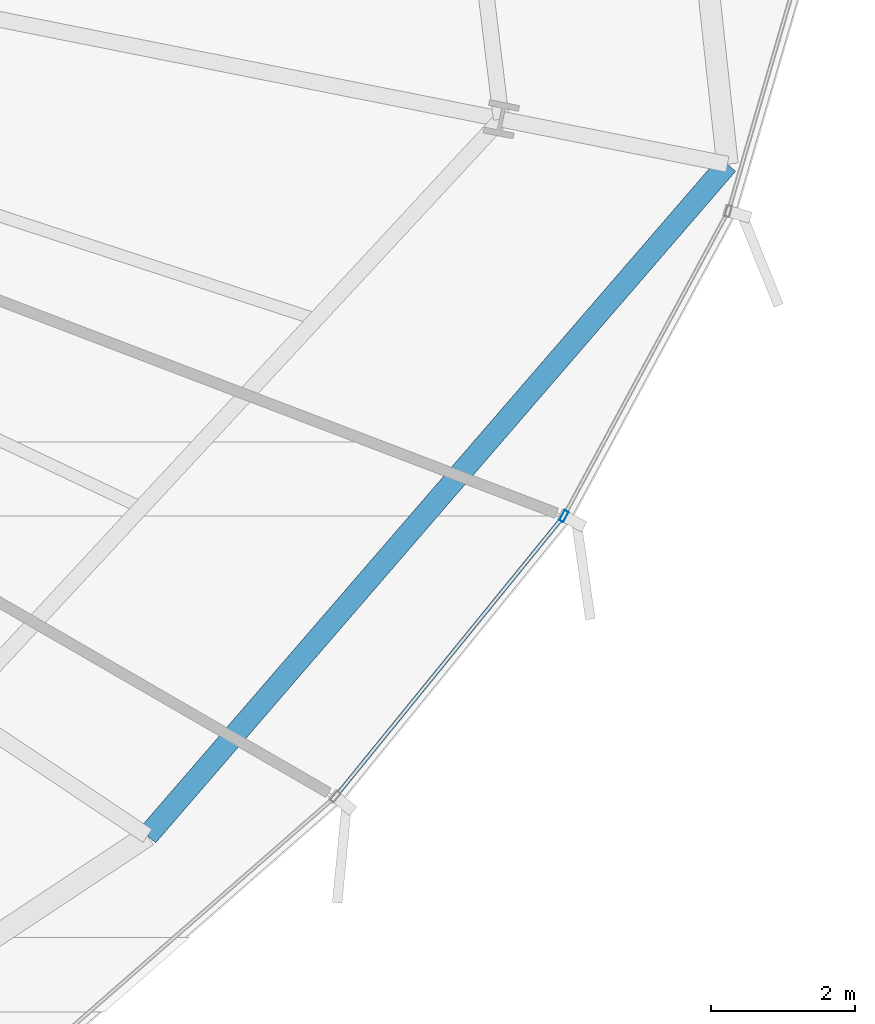
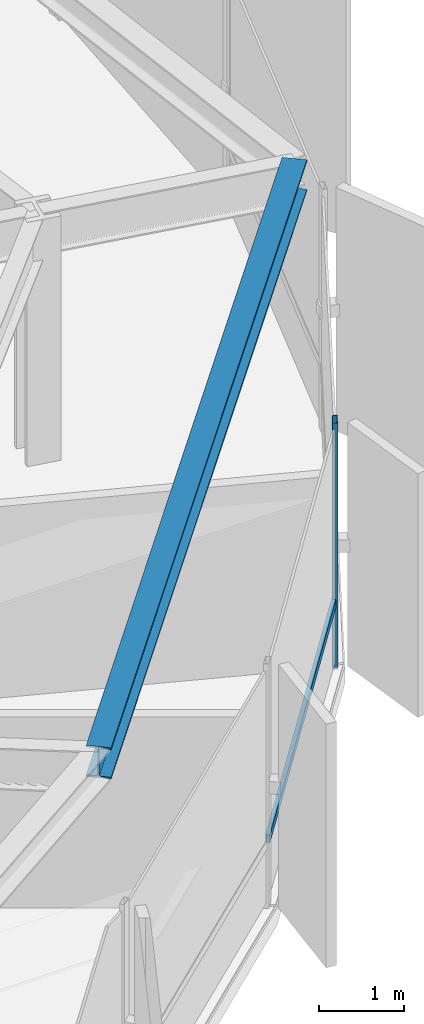
# One storey, part 14 of 39: 2 members, 1 beam, 1 element without a shape of its own.
"""IFC4 building model written with IfcOpenShell, lengths in metres."""

from ifc_helpers import new_model, si_unit, direction, frame, origin, origin_2d, place, context, subcontext, project, spatial, hollow_rectangle, i_section, extrude, source, transform, mapped, material, layer, layer_set, material_profile, profile_set, type_object, element, aggregate, save


model = new_model("IFC4")

# Units and contexts
model_context = context("Model", 3, precision=1e-05, world=origin(), true_north=direction((0.0, 1.0)))
body_context = subcontext(model_context, "Body", "Model", "MODEL_VIEW")
ifc_project = project(units=[si_unit("LENGTHUNIT", "METRE"), si_unit("AREAUNIT", "SQUARE_METRE"), si_unit("VOLUMEUNIT", "CUBIC_METRE"), si_unit("PLANEANGLEUNIT", "RADIAN"), si_unit("MASSUNIT", "GRAM", prefix="KILO"), si_unit("THERMODYNAMICTEMPERATUREUNIT", "KELVIN")], contexts=[model_context])

# Site, building, storey
site_placement = place(None, origin())
site = spatial("IfcSite", under=ifc_project, at=site_placement, CompositionType="ELEMENT")
building_placement = place(site_placement, origin())
building = spatial("IfcBuilding", under=site, at=building_placement, Name="Kethvar Cultural Tower", CompositionType="ELEMENT")
storey_placement = place(building_placement, frame((0.0, 0.0, 44.800048828125)))
storey = spatial("IfcBuildingStorey", under=building, at=storey_placement, Name="L10", CompositionType="ELEMENT", Elevation=44.800048828125)

# Beam
ifc_material_1 = material(Name="Steel S355J2", Category="steel")
ifc_material_profile_1 = material_profile(ifc_material_1, i_section(OverallWidth=0.300048828125, OverallDepth=0.449951171875, WebThickness=0.013916015625, FlangeThickness=0.02587890625, FilletRadius=0.027099609375, at=origin_2d()), Name="Steel S355J2 — HEB450")
ifc_profile_set_1 = profile_set([ifc_material_profile_1], Name="Steel S355J2 — HEB450")
beam_type = type_object("IfcBeamType", Name="BM-SP450", PredefinedType="SPANDREL", material=ifc_profile_set_1)
shared_shape_1 = source(origin(), body_context, "Body", "SweptSolid", [
    extrude(i_section(OverallWidth=0.300048828125, OverallDepth=0.449951171875, WebThickness=0.013916015625, FlangeThickness=0.02587890625, FilletRadius=0.027099609375, at=origin_2d()), origin(), (0.0, 0.0, 1.0), 12.3173828125),
])
beam_placement = place(storey_placement, frame((70.0791015625, 12.24560546875, 3.322998046875), z_axis=(0.653586327045, 0.756851975686, 0.0), x_axis=(-0.756851975686, 0.653586327045, 0.0)))
element("IfcBeam", 1, at=beam_placement, inside=storey, type_object=beam_type, Name="L10 Perimeter Spandrel Beam SP-15", PredefinedType="SPANDREL", context=body_context, shape_type="MappedRepresentation", body=[
    mapped(shared_shape_1, transform((0.0, 0.0, 0.0), scale=1.0)),
])

# Curtain wall, members
ifc_material_2 = material(Name="Aluminium 6063-T6", Category="aluminium")
ifc_layer = layer(ifc_material_2, 0.179931640625, Name="Aluminium 6063-T6", Category="aluminium")
ifc_layer_set = layer_set([ifc_layer], Name="Aluminium 6063-T6 (180 mm)")
curtain_wall_type = type_object("IfcCurtainWallType", Name="CW-SYS-02-Z1", PredefinedType="NOTDEFINED", material=ifc_layer_set)
curtain_wall_placement = place(storey_placement, origin())
curtain_wall = element("IfcCurtainWall", 2, at=curtain_wall_placement, inside=storey, type_object=curtain_wall_type, Name="L10 Curtain Wall Run 06", PredefinedType="NOTDEFINED")
ifc_material_profile_2 = material_profile(ifc_material_2, hollow_rectangle(XDim=0.06494140625, YDim=0.159912109375, WallThickness=0.0048828125, at=origin_2d()), Name="Aluminium 6063-T6 — RHS160x65x5")
ifc_profile_set_2 = profile_set([ifc_material_profile_2], Name="Aluminium 6063-T6 — RHS160x65x5")
member_type_1 = type_object("IfcMemberType", Name="CW-SYS-02-Z1-MUL", PredefinedType="MULLION", material=ifc_profile_set_2)
shared_shape_2 = source(origin(), body_context, "Body", "SweptSolid", [
    extrude(hollow_rectangle(XDim=0.06494140625, YDim=0.159912109375, WallThickness=0.0048828125, at=origin_2d()), origin(), (0.0, 0.0, 1.0), 3.550048828125),
])
member_1_placement = place(storey_placement, frame((75.860595703125, 16.683837890625, 0.0), z_axis=(0.0, 0.0, 1.0), x_axis=(-0.880369763644, 0.474287970817, 0.0)))
member_1 = element("IfcMember", 3, at=member_1_placement, type_object=member_type_1, Name="CW-L10-R06 Mullion 5", PredefinedType="MULLION", context=body_context, shape_type="MappedRepresentation", body=[
    mapped(shared_shape_2, transform((0.0, 0.0, 0.0), scale=1.0)),
])
ifc_material_profile_3 = material_profile(ifc_material_2, hollow_rectangle(XDim=0.054931640625, YDim=0.1201171875, WallThickness=0.00390625, at=origin_2d()), Name="Aluminium 6063-T6 — RHS120x55x4")
ifc_profile_set_3 = profile_set([ifc_material_profile_3], Name="Aluminium 6063-T6 — RHS120x55x4")
member_type_2 = type_object("IfcMemberType", Name="CW-SYS-02-Z1-TRN", PredefinedType="USERDEFINED", material=ifc_profile_set_3)
shared_shape_3 = source(origin(), body_context, "Body", "SweptSolid", [
    extrude(hollow_rectangle(XDim=0.054931640625, YDim=0.1201171875, WallThickness=0.00390625, at=origin_2d()), origin(), (0.0, 0.0, 1.0), 4.95361328125),
])
member_2_placement = place(storey_placement, frame((72.71728515625, 12.82373046875, 0.949951171875), z_axis=(0.63109902832, 0.775702273075, 0.0), x_axis=(-0.775702273075, 0.63109902832, 0.0)))
member_2 = element("IfcMember", 4, at=member_2_placement, type_object=member_type_2, Name="CW-L10-R06 Transom 4", ObjectType="TRANSOM", PredefinedType="USERDEFINED", context=body_context, shape_type="MappedRepresentation", body=[
    mapped(shared_shape_3, transform((0.0, 0.0, 0.0), scale=1.0)),
])
aggregate(curtain_wall, [member_1, member_2])

save(model, "model.ifc")
